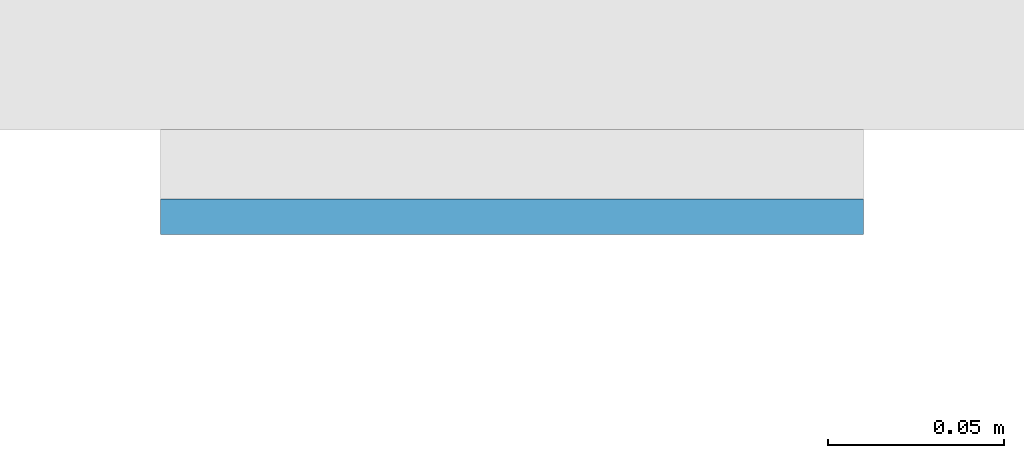
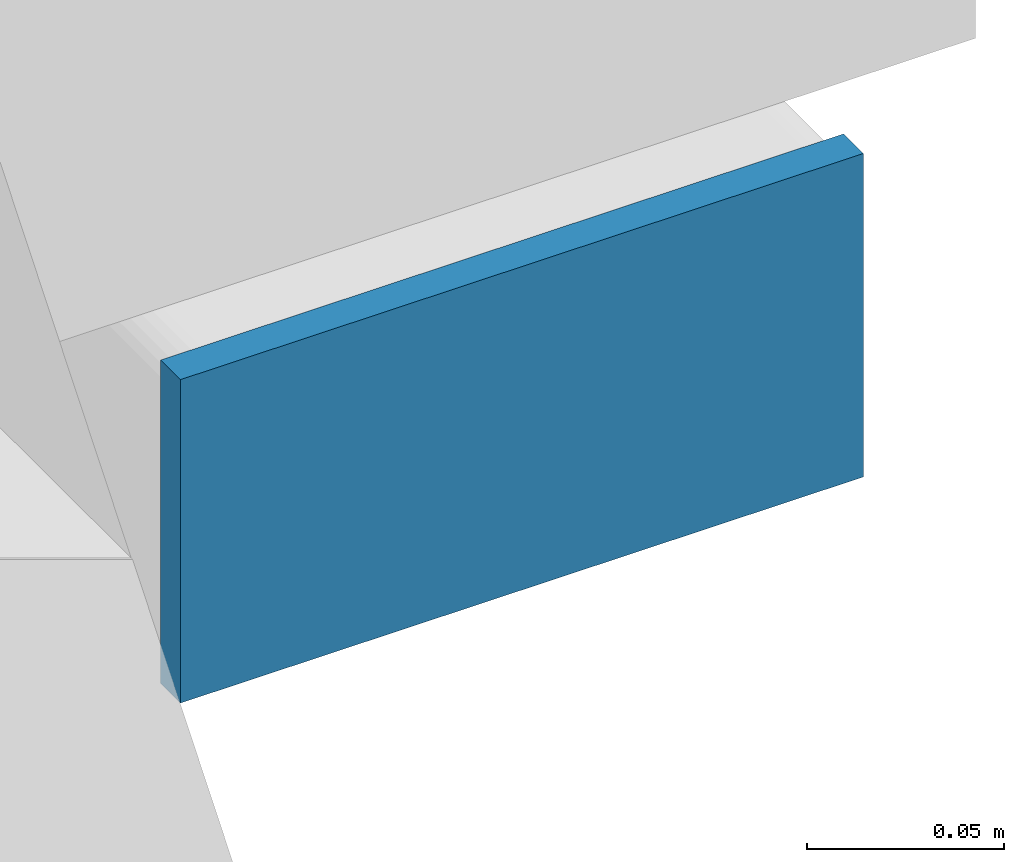
# One storey, part 10 of 20: 1 plate.
"""IFC4 building model written with IfcOpenShell, lengths in metres."""

from ifc_helpers import new_model, si_unit, direction, frame, origin, origin_2d, place, context, subcontext, project, spatial, rectangle, extrude, material, layer, layer_set, type_object, element, save


model = new_model("IFC4")

# Units and contexts
model_context = context("Model", 3, precision=1e-05, world=origin(), true_north=direction((0.0, 1.0)))
body_context = subcontext(model_context, "Body", "Model", "MODEL_VIEW")
ifc_project = project(units=[si_unit("LENGTHUNIT", "METRE"), si_unit("AREAUNIT", "SQUARE_METRE"), si_unit("VOLUMEUNIT", "CUBIC_METRE"), si_unit("PLANEANGLEUNIT", "RADIAN"), si_unit("MASSUNIT", "GRAM", prefix="KILO")], contexts=[model_context])

# Site, building, storey
site_placement = place(None, origin())
site = spatial("IfcSite", under=ifc_project, at=site_placement, CompositionType="ELEMENT")
building_placement = place(site_placement, origin())
building = spatial("IfcBuilding", under=site, at=building_placement, Name="Cleftline Residences", CompositionType="ELEMENT")
storey_placement = place(building_placement, frame((0.0, 0.0, 107.0)))
storey = spatial("IfcBuildingStorey", under=building, at=storey_placement, Name="L27", CompositionType="ELEMENT", Elevation=107.0)

# Plate
ifc_material = material(Name="Steel S355, hot-dip galvanised", Category="steel")
ifc_layer = layer(ifc_material, 0.010009765625)
ifc_layer_set = layer_set([ifc_layer], Name="BAGUETTE CARRIER END PLATE 200X100X10")
plate_type = type_object("IfcPlateType", Name="BAGUETTE CARRIER END PLATE 200X100X10", PredefinedType="USERDEFINED", material=ifc_layer_set)
plate_placement = place(storey_placement, frame((66.85009765625, 3.695068359375, -0.10009765625), z_axis=(0.0, 0.0, 1.0), x_axis=(1.0, 0.0, 0.0)))
element("IfcPlate", 1, at=plate_placement, inside=storey, type_object=plate_type, Name="Baguette carrier end plate", ObjectType="BAGUETTE CARRIER END PLATE", PredefinedType="USERDEFINED", context=body_context, shape_type="SweptSolid", body=[
    extrude(rectangle(XDim=0.199951171875, YDim=0.010009765625, at=origin_2d()), origin(), (0.0, 0.0, 1.0), 0.10009765625),
])

save(model, "model.ifc")
